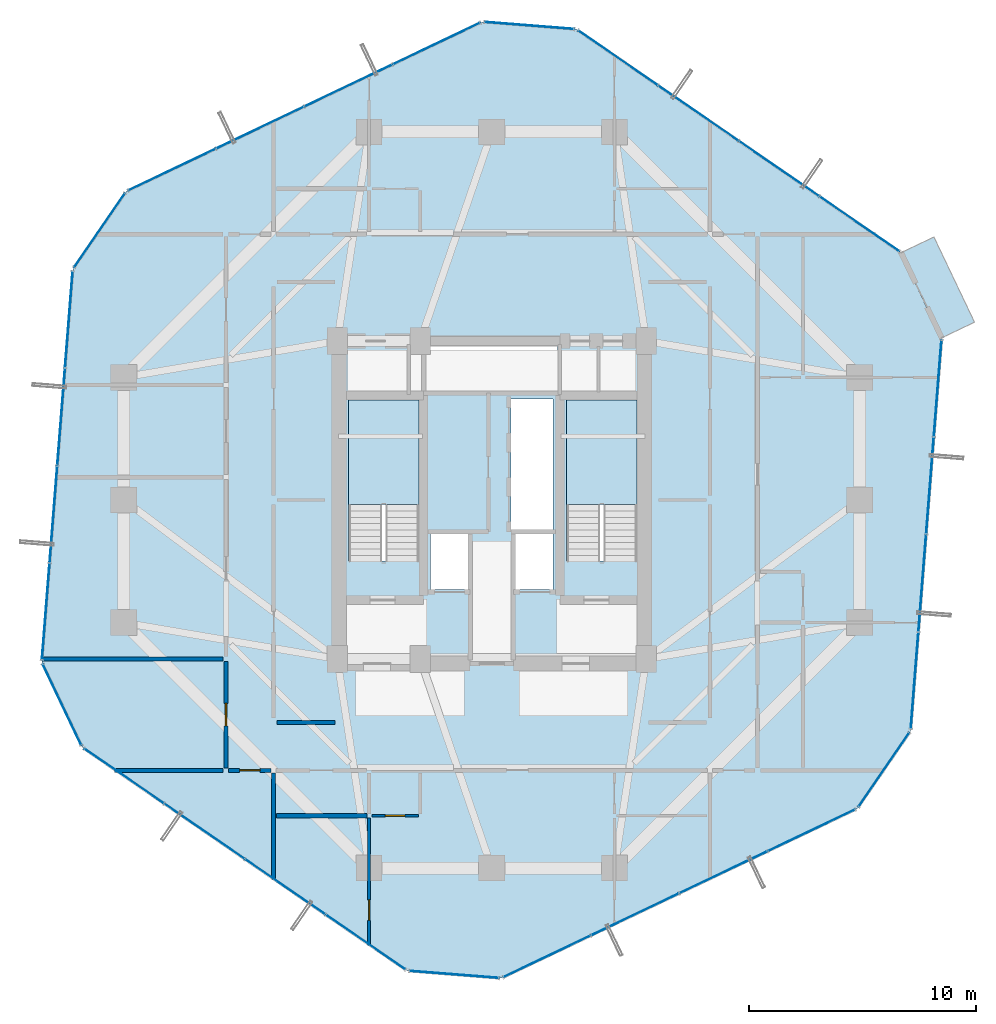
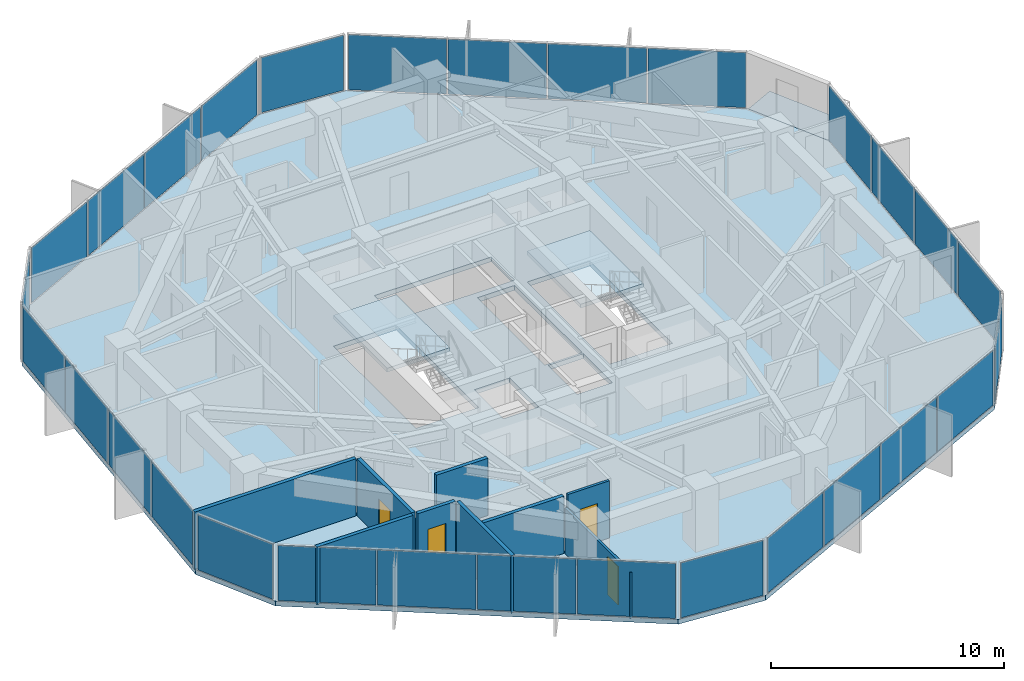
# One storey, part 25 of 30: 29 plates, 9 walls, 4 doors, 4 slabs, 4 openings, 13 elements without a shape of their own.
"""IFC4 building model written with IfcOpenShell, lengths in metres."""

import ifcopenshell
import ifcopenshell.guid

model = None  # the IFC model being written
_history = None  # IfcOwnerHistory: only IFC2X3 demands one
_inside = {}  # id of a spatial element -> (the spatial element, [elements in it])
_under = {}  # id of a project, library or spatial element -> (it, [spatial elements below it])
_declared = {}  # id of a project -> (the project, [libraries it declares])
_typed = {}  # id of a type object -> (the type object, [elements of that type])
_made_of = {}  # id of a material, layer set ... -> (it, [elements and type objects made of it])


def new_model(schema):
    """Start an empty IFC model of exactly this schema.

    Asked for "IFC4X3", IfcOpenShell would pick the latest addendum, in which some entities
    have other attributes; the version numbers below select the first issue.
    IFC2X3 requires an IfcOwnerHistory on every rooted entity: one is made here for all.
    """
    global model, _history
    if schema == "IFC4X3":
        model = ifcopenshell.file(schema_version=(4, 3, 0, 0))
    else:
        model = ifcopenshell.file(schema=schema)
    _inside.clear()
    _under.clear()
    _declared.clear()
    _typed.clear()
    _made_of.clear()
    _history = None
    if model.schema == "IFC2X3":
        org = make("IfcOrganization", Name="unknown")
        user = make(
            "IfcPersonAndOrganization",
            ThePerson=make("IfcPerson", FamilyName="unknown"),
            TheOrganization=org,
        )
        app = make(
            "IfcApplication",
            ApplicationDeveloper=org,
            Version="unknown",
            ApplicationFullName="unknown",
            ApplicationIdentifier="unknown",
        )
        _history = make(
            "IfcOwnerHistory",
            OwningUser=user,
            OwningApplication=app,
            ChangeAction="ADDED",
            CreationDate=0,
        )
    return model


def make(cls, **values):
    """One entity of the class cls with the attributes given. An attribute that is None is left unset."""
    return model.create_entity(
        cls, **{name: value for name, value in values.items() if value is not None}
    )


def rooted(cls, **values):
    """An entity with a GlobalId (a new one), such as an element, a storey or a relation."""
    return make(cls, GlobalId=ifcopenshell.guid.new(), OwnerHistory=_history, **values)


def si_unit(unit_type, name, prefix=None):
    """IfcSIUnit, for example si_unit("LENGTHUNIT", "METRE", prefix="MILLI")."""
    return make("IfcSIUnit", UnitType=unit_type, Prefix=prefix, Name=name)


def assignment(units):
    """IfcUnitAssignment: the units of a project."""
    return None if units is None else make("IfcUnitAssignment", Units=units)


def point(xyz):
    """IfcCartesianPoint."""
    return None if xyz is None else make("IfcCartesianPoint", Coordinates=xyz)


def direction(xyz):
    """IfcDirection."""
    return None if xyz is None else make("IfcDirection", DirectionRatios=xyz)


def frame(location, z_axis=None, x_axis=None):
    """IfcAxis2Placement3D, a coordinate frame: its origin and axes. An axis left out is left unset."""
    return make(
        "IfcAxis2Placement3D",
        Location=point(location),
        Axis=direction(z_axis),
        RefDirection=direction(x_axis),
    )


def frame_2d(location, x_axis=None):
    """IfcAxis2Placement2D, a coordinate frame in the plane: its origin and x axis."""
    return make(
        "IfcAxis2Placement2D", Location=point(location), RefDirection=direction(x_axis)
    )


def origin():
    """The frame at (0, 0, 0) with its axes left unset."""
    return frame((0.0, 0.0, 0.0))


def origin_2d():
    """The frame at (0, 0) in the plane with its x axis left unset."""
    return frame_2d((0.0, 0.0))


def place(relative_to, where):
    """IfcLocalPlacement: puts the frame where relative to a parent placement (None: the world)."""
    return make(
        "IfcLocalPlacement", PlacementRelTo=relative_to, RelativePlacement=where
    )


def context(
    kind, dimensions, precision=None, world=None, true_north=None, identifier=None
):
    """IfcGeometricRepresentationContext, for example the 3D "Model" context."""
    return make(
        "IfcGeometricRepresentationContext",
        ContextIdentifier=identifier,
        ContextType=kind,
        CoordinateSpaceDimension=dimensions,
        Precision=precision,
        WorldCoordinateSystem=world,
        TrueNorth=true_north,
    )


def subcontext(parent, identifier, kind, view, scale=None):
    """IfcGeometricRepresentationSubContext, for example "Body" below "Model"."""
    return make(
        "IfcGeometricRepresentationSubContext",
        ContextIdentifier=identifier,
        ContextType=kind,
        ParentContext=parent,
        TargetScale=scale,
        TargetView=view,
    )


def project(units=None, contexts=None):
    """IfcProject with its units and contexts."""
    return rooted(
        "IfcProject",
        Name="project",
        RepresentationContexts=contexts,
        UnitsInContext=assignment(units),
    )


def spatial(cls, under=None, at=None, **own):
    """A site, building, storey or space (cls), placed at a placement, below another one or the project."""
    s = rooted(cls, ObjectPlacement=at, **own)
    if under is not None:
        _under.setdefault(under.id(), (under, []))[1].append(s)
    return s


def polyline(points):
    """IfcPolyline through the points."""
    return make("IfcPolyline", Points=[point(p) for p in points])


def profile(cls, at=None, kind="AREA", **sizes):
    """A parametric profile (cls). Its sizes go by their IFC names, for example OverallWidth=200.0."""
    return make(cls, ProfileType=kind, Position=at, **sizes)


def rectangle(**sizes):
    """IfcRectangleProfileDef."""
    return profile("IfcRectangleProfileDef", **sizes)


def outline(outer, holes=None, kind="AREA"):
    """IfcArbitraryClosedProfileDef: a profile drawn as a closed curve; with holes, ...WithVoids."""
    if holes is None:
        return make("IfcArbitraryClosedProfileDef", ProfileType=kind, OuterCurve=outer)
    return make(
        "IfcArbitraryProfileDefWithVoids",
        ProfileType=kind,
        OuterCurve=outer,
        InnerCurves=holes,
    )


def extrude(swept, where, along, depth):
    """IfcExtrudedAreaSolid: the profile swept, set in the frame where, extruded along a direction by depth."""
    return make(
        "IfcExtrudedAreaSolid",
        SweptArea=swept,
        Position=where,
        ExtrudedDirection=direction(along),
        Depth=depth,
    )


def shape(context_of_items, identifier, shape_type, items):
    """IfcShapeRepresentation: the items that make up one representation, for example the "Body"."""
    return make(
        "IfcShapeRepresentation",
        ContextOfItems=context_of_items,
        RepresentationIdentifier=identifier,
        RepresentationType=shape_type,
        Items=items,
    )


def source(mapping_origin, context_of_items, identifier, shape_type, items):
    """IfcRepresentationMap: a shape defined once, which mapped items show again and again."""
    return make(
        "IfcRepresentationMap",
        MappingOrigin=mapping_origin,
        MappedRepresentation=shape(context_of_items, identifier, shape_type, items),
    )


def transform(
    local_origin,
    x_axis=None,
    y_axis=None,
    z_axis=None,
    scale=None,
    scale2=None,
    scale3=None,
    uniform=True,
):
    """IfcCartesianTransformationOperator3D, or its non-uniform kind. x_axis, y_axis, z_axis: its Axis1, 2, 3."""
    if uniform:
        return make(
            "IfcCartesianTransformationOperator3D",
            Axis1=direction(x_axis),
            Axis2=direction(y_axis),
            LocalOrigin=point(local_origin),
            Scale=scale,
            Axis3=direction(z_axis),
        )
    return make(
        "IfcCartesianTransformationOperator3DnonUniform",
        Axis1=direction(x_axis),
        Axis2=direction(y_axis),
        LocalOrigin=point(local_origin),
        Scale=scale,
        Axis3=direction(z_axis),
        Scale2=scale2,
        Scale3=scale3,
    )


def mapped(mapping_source, mapping_target):
    """IfcMappedItem: shows the shape of a source again, moved by a transform."""
    return make(
        "IfcMappedItem", MappingSource=mapping_source, MappingTarget=mapping_target
    )


def material(Name=None, Category=None):
    """IfcMaterial."""
    return make("IfcMaterial", Name=Name, Category=Category)


def layer(
    of_material, thickness, ventilated=None, Name=None, Category=None, Priority=None
):
    """IfcMaterialLayer: one layer of a wall or slab, of a material (None: an air gap)."""
    return make(
        "IfcMaterialLayer",
        Material=of_material,
        LayerThickness=thickness,
        IsVentilated=ventilated,
        Name=Name,
        Category=Category,
        Priority=Priority,
    )


def layer_set(layers, Name=None):
    """IfcMaterialLayerSet."""
    return make("IfcMaterialLayerSet", MaterialLayers=layers, LayerSetName=Name)


def made_of(thing, what):
    """Note that an element or type object is made of a material, layer set ...; save() writes the relation."""
    if what is not None:
        _made_of.setdefault(what.id(), (what, []))[1].append(thing)
    return thing


def type_object(cls, material=None, **own):
    """A type object (cls), such as IfcWallType, which elements share."""
    return made_of(rooted(cls, **own), material)


def element(
    cls,
    number,
    at=None,
    inside=None,
    cuts=None,
    type_object=None,
    material=None,
    context=None,
    identifier="Body",
    shape_type=None,
    held_by="IfcProductDefinitionShape",
    body=None,
    shapes=None,
    **own,
):
    """One element of the class cls, such as IfcWall. Its Tag is "e" and its number.

    at: its placement. inside: the storey or other place that contains it. cuts: it is an
    opening in that element (IfcRelVoidsElement). A single representation is given by context,
    identifier, shape_type and body (its items); several are given by shapes. held_by: the class
    of the entity that holds the representations. save() writes the other relations.
    """
    e = rooted(cls, Tag="e%d" % number, ObjectPlacement=at, **own)
    if body is not None:
        shapes = [shape(context, identifier, shape_type, body)]
    if shapes is not None:
        e.Representation = make(held_by, Representations=shapes)
    if inside is not None:
        _inside.setdefault(inside.id(), (inside, []))[1].append(e)
    if cuts is not None:
        rooted(
            "IfcRelVoidsElement", RelatingBuildingElement=cuts, RelatedOpeningElement=e
        )
    if type_object is not None:
        _typed.setdefault(type_object.id(), (type_object, []))[1].append(e)
    return made_of(e, material)


def fill(opening, filler):
    """IfcRelFillsElement: the door or window that sits in an opening."""
    return rooted(
        "IfcRelFillsElement",
        RelatingOpeningElement=opening,
        RelatedBuildingElement=filler,
    )


def aggregate(whole, parts):
    """IfcRelAggregates: a whole, such as a stair, and the parts it consists of."""
    return rooted("IfcRelAggregates", RelatingObject=whole, RelatedObjects=parts)


def save(model, path):
    """Write the relations noted so far, then the file.

    IfcRelAggregates (storeys below a building ...), IfcRelContainedInSpatialStructure (elements
    in a storey), IfcRelDefinesByType, IfcRelAssociatesMaterial and IfcRelDeclares: one each for
    every whole, place, type object, material and project.
    """
    for whole, parts in _under.values():
        aggregate(whole, parts)
    for where, things in _inside.values():
        rooted(
            "IfcRelContainedInSpatialStructure",
            RelatedElements=things,
            RelatingStructure=where,
        )
    for kind, things in _typed.values():
        rooted("IfcRelDefinesByType", RelatedObjects=things, RelatingType=kind)
    for what, things in _made_of.values():
        rooted("IfcRelAssociatesMaterial", RelatedObjects=things, RelatingMaterial=what)
    for by, libraries in _declared.values():
        rooted("IfcRelDeclares", RelatingContext=by, RelatedDefinitions=libraries)
    model.write(path)


model = new_model("IFC4")

# Units and contexts
model_context = context("Model", 3, precision=1e-05, world=origin(), true_north=direction((0.0, 1.0)))
body_context = subcontext(model_context, "Body", "Model", "MODEL_VIEW")
ifc_project = project(units=[si_unit("LENGTHUNIT", "METRE"), si_unit("AREAUNIT", "SQUARE_METRE"), si_unit("VOLUMEUNIT", "CUBIC_METRE"), si_unit("PLANEANGLEUNIT", "RADIAN"), si_unit("MASSUNIT", "GRAM", prefix="KILO")], contexts=[model_context])

# Site, building, storey
site_placement = place(None, origin())
site = spatial("IfcSite", under=ifc_project, at=site_placement, CompositionType="ELEMENT")
building_placement = place(site_placement, origin())
building = spatial("IfcBuilding", under=site, at=building_placement, Name="Veraguas Prism Commons", CompositionType="ELEMENT")
storey_placement = place(building_placement, frame((0.0, 0.0, 113.25)))
storey = spatial("IfcBuildingStorey", under=building, at=storey_placement, Name="L31", CompositionType="ELEMENT", Elevation=113.25)

# Stair, slab
ifc_material_1 = material(Name="Precast concrete C45/55", Category="concrete")
stair_type = type_object("IfcStairType", Name="Dogleg Core Stair 1480W 20R 05", PredefinedType="HALF_TURN_STAIR", material=ifc_material_1)
stair_1_placement = place(storey_placement, origin())
stair_1 = element("IfcStair", 1, at=stair_1_placement, inside=storey, type_object=stair_type, Name="Protected Exit Stair ST-01 L31", PredefinedType="HALF_TURN_STAIR")
ifc_layer_1 = layer(ifc_material_1, 0.199951171875, Name="Precast Stair and Ramp Landing Slab 200", Category="concrete")
ifc_layer_set_1 = layer_set([ifc_layer_1], Name="Precast concrete C45/55")
slab_type_1 = type_object("IfcSlabType", Name="Precast Stair and Ramp Landing Slab 200", PredefinedType="LANDING", material=ifc_layer_set_1)
slab_1_placement = place(storey_placement, frame((0.0, 0.0, 1.425048828125)))
slab_1 = element("IfcSlab", 2, at=slab_1_placement, type_object=slab_type_1, Name="ST-05 Landing 1", PredefinedType="LANDING", context=body_context, shape_type="SweptSolid", body=[
    extrude(outline(polyline([(20.800048828125, 23.800048828125), (20.800048828125, 28.39990234375), (17.68994140625, 28.39990234375), (17.68994140625, 23.800048828125), (20.800048828125, 23.800048828125)])), origin(), (0.0, 0.0, 1.0), 0.199951171875),
])
aggregate(stair_1, [slab_1])

stair_2_placement = place(storey_placement, origin())
stair_2 = element("IfcStair", 3, at=stair_2_placement, inside=storey, type_object=stair_type, Name="Protected Exit Stair ST-02 L31", PredefinedType="HALF_TURN_STAIR")
slab_2_placement = place(storey_placement, frame((0.0, 0.0, 1.425048828125)))
slab_2 = element("IfcSlab", 4, at=slab_2_placement, type_object=slab_type_1, Name="ST-05 Landing 1", PredefinedType="LANDING", context=body_context, shape_type="SweptSolid", body=[
    extrude(outline(polyline([(30.39990234375, 23.800048828125), (30.39990234375, 28.39990234375), (27.2900390625, 28.39990234375), (27.2900390625, 23.800048828125), (30.39990234375, 23.800048828125)])), origin(), (0.0, 0.0, 1.0), 0.199951171875),
])
aggregate(stair_2, [slab_2])

# Slabs
ifc_material_2 = material(Name="Concrete C45/55", Category="concrete")
ifc_layer_2 = layer(ifc_material_2, 0.219970703125, Name="Recessed Loggia and Terrace Slab RC 220", Category="concrete")
ifc_layer_set_2 = layer_set([ifc_layer_2], Name="Concrete C45/55")
slab_type_2 = type_object("IfcSlabType", Name="Recessed Loggia and Terrace Slab RC 220", PredefinedType="FLOOR", material=ifc_layer_set_2)
slab_3_placement = place(storey_placement, frame((0.0, 0.0, -0.219970703125)))
element("IfcSlab", 5, at=slab_3_placement, inside=storey, type_object=slab_type_2, Name="Recessed Corner Loggia L31-C1", PredefinedType="FLOOR", context=body_context, shape_type="SweptSolid", body=[
    extrude(outline(polyline([(43.78857421875, 31.1298828125), (45.2509765625, 31.826904296875), (43.46435546875, 35.575927734375), (42.001953125, 34.879150390625), (43.78857421875, 31.1298828125)])), origin(), (0.0, 0.0, 1.0), 0.219970703125),
])
ifc_layer_3 = layer(ifc_material_2, 0.25, Name="Tower Lower Residential Floor Slab RC 250", Category="concrete")
ifc_layer_set_3 = layer_set([ifc_layer_3], Name="Concrete C45/55")
slab_type_3 = type_object("IfcSlabType", Name="Tower Lower Residential Floor Slab RC 250", PredefinedType="FLOOR", material=ifc_layer_set_3)
slab_4_placement = place(storey_placement, frame((0.0, 0.0, -0.25)))
element("IfcSlab", 6, at=slab_4_placement, inside=storey, type_object=slab_type_3, Name="Tower Floor Slab L31", PredefinedType="FLOOR", context=body_context, shape_type="SweptSolid", body=[
    extrude(outline(polyline([(43.806640625, 31.138427734375), (42.02001953125, 34.8876953125), (27.72119140625, 44.722412109375), (23.5810546875, 45.049560546875), (7.91455078125, 37.583740234375), (5.56103515625, 34.161865234375), (4.193359375, 16.861572265625), (5.97998046875, 13.1123046875), (20.27880859375, 3.277587890625), (24.4189453125, 2.950439453125), (40.08544921875, 10.416259765625), (42.43896484375, 13.838134765625), (43.806640625, 31.138427734375)]), holes=[polyline([(20.800048828125, 21.31005859375), (20.800048828125, 28.39990234375), (17.68994140625, 28.39990234375), (17.68994140625, 21.31005859375), (20.800048828125, 21.31005859375)]), polyline([(30.39990234375, 21.31005859375), (30.39990234375, 28.39990234375), (27.2900390625, 28.39990234375), (27.2900390625, 21.31005859375), (30.39990234375, 21.31005859375)]), polyline([(24.85009765625, 22.64990234375), (26.699951171875, 22.64990234375), (26.699951171875, 28.449951171875), (24.85009765625, 28.449951171875), (24.85009765625, 22.64990234375)]), polyline([(21.10009765625, 28.800048828125), (26.89990234375, 28.800048828125), (26.89990234375, 30.800048828125), (21.10009765625, 30.800048828125), (21.10009765625, 28.800048828125)]), polyline([(21.300048828125, 20.050048828125), (23.050048828125, 20.050048828125), (23.050048828125, 22.550048828125), (21.300048828125, 22.550048828125), (21.300048828125, 20.050048828125)]), polyline([(24.949951171875, 20.050048828125), (26.699951171875, 20.050048828125), (26.699951171875, 22.550048828125), (24.949951171875, 22.550048828125), (24.949951171875, 20.050048828125)])]), origin(), (0.0, 0.0, 1.0), 0.25),
])

# Curtain wall, plates
ifc_material_3 = material(Name="Anodised aluminium EN AW-6063 T6", Category="aluminium")
ifc_layer_4 = layer(ifc_material_3, 0.169921875, Name="Unitised Flush Curtain Wall Zone 2", Category="aluminium")
ifc_layer_set_4 = layer_set([ifc_layer_4], Name="Anodised aluminium EN AW-6063 T6")
curtain_wall_type = type_object("IfcCurtainWallType", Name="Unitised Flush Curtain Wall Zone 2", PredefinedType="NOTDEFINED", material=ifc_layer_set_4)
curtain_wall_1_placement = place(storey_placement, origin())
curtain_wall_1 = element("IfcCurtainWall", 7, at=curtain_wall_1_placement, inside=storey, type_object=curtain_wall_type, Name="Tower Facade Curtain Wall L31-F1", PredefinedType="NOTDEFINED")
ifc_material_4 = material(Name="Laminated low-e glass", Category="glass")
ifc_layer_5 = layer(ifc_material_4, 0.028076171875, Name="Unitised Double Low-E Glazed Panel 28", Category="glass")
ifc_layer_set_5 = layer_set([ifc_layer_5], Name="Laminated low-e glass")
plate_type = type_object("IfcPlateType", Name="Unitised Double Low-E Glazed Panel 28", PredefinedType="CURTAIN_PANEL", material=ifc_layer_set_5)
shared_shape_1 = source(origin(), body_context, "Body", "SweptSolid", [
    extrude(rectangle(XDim=4.218505859375, YDim=0.028076171875, at=origin_2d()), origin(), (0.0, 0.0, 1.0), 2.889892578125),
])
plate_1_placement = place(storey_placement, frame((40.183349609375, 36.151123046875, 0.05517578125), z_axis=(0.0, 0.0, 1.0), x_axis=(-0.823930403472, 0.566691000664, 0.0)))
plate_1 = element("IfcPlate", 8, at=plate_1_placement, type_object=plate_type, Name="CW-Z2 Panel 1.1", PredefinedType="CURTAIN_PANEL", context=body_context, shape_type="MappedRepresentation", body=[
    mapped(shared_shape_1, transform((0.0, 0.0, 0.0), scale=1.0)),
])
plate_2_placement = place(storey_placement, frame((29.557861328125, 43.458984375, 0.05517578125), z_axis=(0.0, 0.0, 1.0), x_axis=(-0.823930403472, 0.566691000664, 0.0)))
plate_2 = element("IfcPlate", 9, at=plate_2_placement, type_object=plate_type, Name="CW-Z2 Panel 4.1", PredefinedType="CURTAIN_PANEL", context=body_context, shape_type="MappedRepresentation", body=[
    mapped(shared_shape_1, transform((0.0, 0.0, 0.0), scale=1.0)),
])

curtain_wall_2_placement = place(storey_placement, origin())
curtain_wall_2 = element("IfcCurtainWall", 10, at=curtain_wall_2_placement, inside=storey, type_object=curtain_wall_type, Name="Tower Facade Curtain Wall L31-F2", PredefinedType="NOTDEFINED")
plate_3_placement = place(storey_placement, frame((21.568603515625, 44.090576171875, 0.05517578125), z_axis=(0.0, 0.0, 1.0), x_axis=(-0.902734004407, -0.430199160025, 0.0)))
plate_3 = element("IfcPlate", 11, at=plate_3_placement, type_object=plate_type, Name="CW-Z2 Panel 1.1", PredefinedType="CURTAIN_PANEL", context=body_context, shape_type="MappedRepresentation", body=[
    mapped(shared_shape_1, transform((0.0, 0.0, 0.0), scale=1.0)),
])
plate_4_placement = place(storey_placement, frame((9.927001953125, 38.542724609375, 0.05517578125), z_axis=(0.0, 0.0, 1.0), x_axis=(-0.902734004407, -0.430199160025, 0.0)))
plate_4 = element("IfcPlate", 12, at=plate_4_placement, type_object=plate_type, Name="CW-Z2 Panel 4.1", PredefinedType="CURTAIN_PANEL", context=body_context, shape_type="MappedRepresentation", body=[
    mapped(shared_shape_1, transform((0.0, 0.0, 0.0), scale=1.0)),
])

curtain_wall_3_placement = place(storey_placement, origin())
curtain_wall_3 = element("IfcCurtainWall", 13, at=curtain_wall_3_placement, inside=storey, type_object=curtain_wall_type, Name="Tower Facade Curtain Wall L31-F3", PredefinedType="NOTDEFINED")
plate_5_placement = place(storey_placement, frame((5.38525390625, 31.939453125, 0.05517578125), z_axis=(0.0, 0.0, 1.0), x_axis=(-0.078807080738, -0.996889885607, 0.0)))
plate_5 = element("IfcPlate", 14, at=plate_5_placement, type_object=plate_type, Name="CW-Z2 Panel 1.1", PredefinedType="CURTAIN_PANEL", context=body_context, shape_type="MappedRepresentation", body=[
    mapped(shared_shape_1, transform((0.0, 0.0, 0.0), scale=1.0)),
])
plate_6_placement = place(storey_placement, frame((4.369140625, 19.083740234375, 0.05517578125), z_axis=(0.0, 0.0, 1.0), x_axis=(-0.078807080738, -0.996889885607, 0.0)))
plate_6 = element("IfcPlate", 15, at=plate_6_placement, type_object=plate_type, Name="CW-Z2 Panel 4.1", PredefinedType="CURTAIN_PANEL", context=body_context, shape_type="MappedRepresentation", body=[
    mapped(shared_shape_1, transform((0.0, 0.0, 0.0), scale=1.0)),
])

curtain_wall_4_placement = place(storey_placement, origin())
curtain_wall_4 = element("IfcCurtainWall", 16, at=curtain_wall_4_placement, inside=storey, type_object=curtain_wall_type, Name="Tower Facade Curtain Wall L31-F4", PredefinedType="NOTDEFINED")
plate_7_placement = place(storey_placement, frame((7.816650390625, 11.848876953125, 0.05517578125), z_axis=(0.0, 0.0, 1.0), x_axis=(0.823930403472, -0.566691000664, 0.0)))
plate_7 = element("IfcPlate", 17, at=plate_7_placement, type_object=plate_type, Name="CW-Z2 Panel 1.1", PredefinedType="CURTAIN_PANEL", context=body_context, shape_type="MappedRepresentation", body=[
    mapped(shared_shape_1, transform((0.0, 0.0, 0.0), scale=1.0)),
])
plate_8_placement = place(storey_placement, frame((18.442138671875, 4.541015625, 0.05517578125), z_axis=(0.0, 0.0, 1.0), x_axis=(0.823930403472, -0.566691000664, 0.0)))
plate_8 = element("IfcPlate", 18, at=plate_8_placement, type_object=plate_type, Name="CW-Z2 Panel 4.1", PredefinedType="CURTAIN_PANEL", context=body_context, shape_type="MappedRepresentation", body=[
    mapped(shared_shape_1, transform((0.0, 0.0, 0.0), scale=1.0)),
])

curtain_wall_5_placement = place(storey_placement, origin())
curtain_wall_5 = element("IfcCurtainWall", 19, at=curtain_wall_5_placement, inside=storey, type_object=curtain_wall_type, Name="Tower Facade Curtain Wall L31-F5", PredefinedType="NOTDEFINED")
plate_9_placement = place(storey_placement, frame((26.431396484375, 3.909423828125, 0.05517578125), z_axis=(0.0, 0.0, 1.0), x_axis=(0.902734004407, 0.430199160025, 0.0)))
plate_9 = element("IfcPlate", 20, at=plate_9_placement, type_object=plate_type, Name="CW-Z2 Panel 1.1", PredefinedType="CURTAIN_PANEL", context=body_context, shape_type="MappedRepresentation", body=[
    mapped(shared_shape_1, transform((0.0, 0.0, 0.0), scale=1.0)),
])
plate_10_placement = place(storey_placement, frame((38.072998046875, 9.457275390625, 0.05517578125), z_axis=(0.0, 0.0, 1.0), x_axis=(0.902734004407, 0.430199160025, 0.0)))
plate_10 = element("IfcPlate", 21, at=plate_10_placement, type_object=plate_type, Name="CW-Z2 Panel 4.1", PredefinedType="CURTAIN_PANEL", context=body_context, shape_type="MappedRepresentation", body=[
    mapped(shared_shape_1, transform((0.0, 0.0, 0.0), scale=1.0)),
])

curtain_wall_6_placement = place(storey_placement, origin())
curtain_wall_6 = element("IfcCurtainWall", 22, at=curtain_wall_6_placement, inside=storey, type_object=curtain_wall_type, Name="Tower Facade Curtain Wall L31-F6", PredefinedType="NOTDEFINED")
plate_11_placement = place(storey_placement, frame((42.61474609375, 16.060546875, 0.05517578125), z_axis=(0.0, 0.0, 1.0), x_axis=(0.078807080738, 0.996889885607, 0.0)))
plate_11 = element("IfcPlate", 23, at=plate_11_placement, type_object=plate_type, Name="CW-Z2 Panel 1.1", PredefinedType="CURTAIN_PANEL", context=body_context, shape_type="MappedRepresentation", body=[
    mapped(shared_shape_1, transform((0.0, 0.0, 0.0), scale=1.0)),
])
plate_12_placement = place(storey_placement, frame((43.630859375, 28.916259765625, 0.05517578125), z_axis=(0.0, 0.0, 1.0), x_axis=(0.078807080738, 0.996889885607, 0.0)))
plate_12 = element("IfcPlate", 24, at=plate_12_placement, type_object=plate_type, Name="CW-Z2 Panel 4.1", PredefinedType="CURTAIN_PANEL", context=body_context, shape_type="MappedRepresentation", body=[
    mapped(shared_shape_1, transform((0.0, 0.0, 0.0), scale=1.0)),
])

# Plate
shared_shape_2 = source(origin(), body_context, "Body", "SweptSolid", [
    extrude(rectangle(XDim=4.24853515625, YDim=0.028076171875, at=origin_2d()), origin(), (0.0, 0.0, 1.0), 2.889892578125),
])
plate_13_placement = place(storey_placement, frame((36.6455078125, 38.584228515625, 0.05517578125), z_axis=(0.0, 0.0, 1.0), x_axis=(-0.823930403472, 0.566691000664, 0.0)))
plate_13 = element("IfcPlate", 25, at=plate_13_placement, type_object=plate_type, Name="CW-Z2 Panel 2.1", PredefinedType="CURTAIN_PANEL", context=body_context, shape_type="MappedRepresentation", body=[
    mapped(shared_shape_2, transform((0.0, 0.0, 0.0), scale=1.0)),
])

plate_14_placement = place(storey_placement, frame((33.095703125, 41.02587890625, 0.05517578125), z_axis=(0.0, 0.0, 1.0), x_axis=(-0.823930403472, 0.566691000664, 0.0)))
plate_14 = element("IfcPlate", 26, at=plate_14_placement, type_object=plate_type, Name="CW-Z2 Panel 3.1", PredefinedType="CURTAIN_PANEL", context=body_context, shape_type="MappedRepresentation", body=[
    mapped(shared_shape_2, transform((0.0, 0.0, 0.0), scale=1.0)),
])

aggregate(curtain_wall_1, [plate_1, plate_13, plate_14, plate_2])

plate_15_placement = place(storey_placement, frame((17.692626953125, 42.243408203125, 0.05517578125), z_axis=(0.0, 0.0, 1.0), x_axis=(-0.902734004407, -0.430199160025, 0.0)))
plate_15 = element("IfcPlate", 27, at=plate_15_placement, type_object=plate_type, Name="CW-Z2 Panel 2.1", PredefinedType="CURTAIN_PANEL", context=body_context, shape_type="MappedRepresentation", body=[
    mapped(shared_shape_2, transform((0.0, 0.0, 0.0), scale=1.0)),
])

plate_16_placement = place(storey_placement, frame((13.802978515625, 40.389892578125, 0.05517578125), z_axis=(0.0, 0.0, 1.0), x_axis=(-0.902734004407, -0.430199160025, 0.0)))
plate_16 = element("IfcPlate", 28, at=plate_16_placement, type_object=plate_type, Name="CW-Z2 Panel 3.1", PredefinedType="CURTAIN_PANEL", context=body_context, shape_type="MappedRepresentation", body=[
    mapped(shared_shape_2, transform((0.0, 0.0, 0.0), scale=1.0)),
])

aggregate(curtain_wall_2, [plate_3, plate_15, plate_16, plate_4])

plate_17_placement = place(storey_placement, frame((5.046875, 27.6591796875, 0.05517578125), z_axis=(0.0, 0.0, 1.0), x_axis=(-0.078807080738, -0.996889885607, 0.0)))
plate_17 = element("IfcPlate", 29, at=plate_17_placement, type_object=plate_type, Name="CW-Z2 Panel 2.1", PredefinedType="CURTAIN_PANEL", context=body_context, shape_type="MappedRepresentation", body=[
    mapped(shared_shape_2, transform((0.0, 0.0, 0.0), scale=1.0)),
])

plate_18_placement = place(storey_placement, frame((4.70751953125, 23.364013671875, 0.05517578125), z_axis=(0.0, 0.0, 1.0), x_axis=(-0.078807080738, -0.996889885607, 0.0)))
plate_18 = element("IfcPlate", 30, at=plate_18_placement, type_object=plate_type, Name="CW-Z2 Panel 3.1", PredefinedType="CURTAIN_PANEL", context=body_context, shape_type="MappedRepresentation", body=[
    mapped(shared_shape_2, transform((0.0, 0.0, 0.0), scale=1.0)),
])

aggregate(curtain_wall_3, [plate_5, plate_17, plate_18, plate_6])

plate_19_placement = place(storey_placement, frame((11.3544921875, 9.415771484375, 0.05517578125), z_axis=(0.0, 0.0, 1.0), x_axis=(0.823930403472, -0.566691000664, 0.0)))
plate_19 = element("IfcPlate", 31, at=plate_19_placement, type_object=plate_type, Name="CW-Z2 Panel 2.1", PredefinedType="CURTAIN_PANEL", context=body_context, shape_type="MappedRepresentation", body=[
    mapped(shared_shape_2, transform((0.0, 0.0, 0.0), scale=1.0)),
])

plate_20_placement = place(storey_placement, frame((14.904296875, 6.97412109375, 0.05517578125), z_axis=(0.0, 0.0, 1.0), x_axis=(0.823930403472, -0.566691000664, 0.0)))
plate_20 = element("IfcPlate", 32, at=plate_20_placement, type_object=plate_type, Name="CW-Z2 Panel 3.1", PredefinedType="CURTAIN_PANEL", context=body_context, shape_type="MappedRepresentation", body=[
    mapped(shared_shape_2, transform((0.0, 0.0, 0.0), scale=1.0)),
])

aggregate(curtain_wall_4, [plate_7, plate_19, plate_20, plate_8])

plate_21_placement = place(storey_placement, frame((30.307373046875, 5.756591796875, 0.05517578125), z_axis=(0.0, 0.0, 1.0), x_axis=(0.902734004407, 0.430199160025, 0.0)))
plate_21 = element("IfcPlate", 33, at=plate_21_placement, type_object=plate_type, Name="CW-Z2 Panel 2.1", PredefinedType="CURTAIN_PANEL", context=body_context, shape_type="MappedRepresentation", body=[
    mapped(shared_shape_2, transform((0.0, 0.0, 0.0), scale=1.0)),
])

plate_22_placement = place(storey_placement, frame((34.197021484375, 7.610107421875, 0.05517578125), z_axis=(0.0, 0.0, 1.0), x_axis=(0.902734004407, 0.430199160025, 0.0)))
plate_22 = element("IfcPlate", 34, at=plate_22_placement, type_object=plate_type, Name="CW-Z2 Panel 3.1", PredefinedType="CURTAIN_PANEL", context=body_context, shape_type="MappedRepresentation", body=[
    mapped(shared_shape_2, transform((0.0, 0.0, 0.0), scale=1.0)),
])

aggregate(curtain_wall_5, [plate_9, plate_21, plate_22, plate_10])

plate_23_placement = place(storey_placement, frame((42.953125, 20.3408203125, 0.05517578125), z_axis=(0.0, 0.0, 1.0), x_axis=(0.078807080738, 0.996889885607, 0.0)))
plate_23 = element("IfcPlate", 35, at=plate_23_placement, type_object=plate_type, Name="CW-Z2 Panel 2.1", PredefinedType="CURTAIN_PANEL", context=body_context, shape_type="MappedRepresentation", body=[
    mapped(shared_shape_2, transform((0.0, 0.0, 0.0), scale=1.0)),
])

plate_24_placement = place(storey_placement, frame((43.29248046875, 24.635986328125, 0.05517578125), z_axis=(0.0, 0.0, 1.0), x_axis=(0.078807080738, 0.996889885607, 0.0)))
plate_24 = element("IfcPlate", 36, at=plate_24_placement, type_object=plate_type, Name="CW-Z2 Panel 3.1", PredefinedType="CURTAIN_PANEL", context=body_context, shape_type="MappedRepresentation", body=[
    mapped(shared_shape_2, transform((0.0, 0.0, 0.0), scale=1.0)),
])

aggregate(curtain_wall_6, [plate_11, plate_23, plate_24, plate_12])

# Curtain wall, plate
curtain_wall_7_placement = place(storey_placement, origin())
curtain_wall_7 = element("IfcCurtainWall", 37, at=curtain_wall_7_placement, inside=storey, type_object=curtain_wall_type, Name="Chamfer Curtain Wall L31-C2", PredefinedType="NOTDEFINED")
shared_shape_3 = source(origin(), body_context, "Body", "SweptSolid", [
    extrude(rectangle(XDim=3.9130859375, YDim=0.028076171875, at=origin_2d()), origin(), (0.0, 0.0, 1.0), 2.889892578125),
])
plate_25_placement = place(storey_placement, frame((25.651123046875, 44.885986328125, 0.05517578125), z_axis=(0.0, 0.0, 1.0), x_axis=(-0.996888785155, 0.078820999939, 0.0)))
plate_25 = element("IfcPlate", 38, at=plate_25_placement, type_object=plate_type, Name="CW-Z2 Panel 1.1", PredefinedType="CURTAIN_PANEL", context=body_context, shape_type="MappedRepresentation", body=[
    mapped(shared_shape_3, transform((0.0, 0.0, 0.0), scale=1.0)),
])
aggregate(curtain_wall_7, [plate_25])

curtain_wall_8_placement = place(storey_placement, origin())
curtain_wall_8 = element("IfcCurtainWall", 39, at=curtain_wall_8_placement, inside=storey, type_object=curtain_wall_type, Name="Chamfer Curtain Wall L31-C4", PredefinedType="NOTDEFINED")
plate_26_placement = place(storey_placement, frame((5.086669921875, 14.98681640625, 0.05517578125), z_axis=(0.0, 0.0, 1.0), x_axis=(0.430192857743, -0.902737007742, 0.0)))
plate_26 = element("IfcPlate", 40, at=plate_26_placement, type_object=plate_type, Name="CW-Z2 Panel 1.1", PredefinedType="CURTAIN_PANEL", context=body_context, shape_type="MappedRepresentation", body=[
    mapped(shared_shape_3, transform((0.0, 0.0, 0.0), scale=1.0)),
])
aggregate(curtain_wall_8, [plate_26])

curtain_wall_9_placement = place(storey_placement, origin())
curtain_wall_9 = element("IfcCurtainWall", 41, at=curtain_wall_9_placement, inside=storey, type_object=curtain_wall_type, Name="Chamfer Curtain Wall L31-C5", PredefinedType="NOTDEFINED")
plate_27_placement = place(storey_placement, frame((22.348876953125, 3.114013671875, 0.05517578125), z_axis=(0.0, 0.0, 1.0), x_axis=(0.996888785155, -0.078820999939, 0.0)))
plate_27 = element("IfcPlate", 42, at=plate_27_placement, type_object=plate_type, Name="CW-Z2 Panel 1.1", PredefinedType="CURTAIN_PANEL", context=body_context, shape_type="MappedRepresentation", body=[
    mapped(shared_shape_3, transform((0.0, 0.0, 0.0), scale=1.0)),
])
aggregate(curtain_wall_9, [plate_27])

curtain_wall_10_placement = place(storey_placement, origin())
curtain_wall_10 = element("IfcCurtainWall", 43, at=curtain_wall_10_placement, inside=storey, type_object=curtain_wall_type, Name="Chamfer Curtain Wall L31-C3", PredefinedType="NOTDEFINED")
shared_shape_4 = source(origin(), body_context, "Body", "SweptSolid", [
    extrude(rectangle(XDim=3.913330078125, YDim=0.028076171875, at=origin_2d()), origin(), (0.0, 0.0, 1.0), 2.889892578125),
])
plate_28_placement = place(storey_placement, frame((6.73779296875, 35.872802734375, 0.05517578125), z_axis=(0.0, 0.0, 1.0), x_axis=(-0.566692438693, -0.823929414409, 0.0)))
plate_28 = element("IfcPlate", 44, at=plate_28_placement, type_object=plate_type, Name="CW-Z2 Panel 1.1", PredefinedType="CURTAIN_PANEL", context=body_context, shape_type="MappedRepresentation", body=[
    mapped(shared_shape_4, transform((0.0, 0.0, 0.0), scale=1.0)),
])
aggregate(curtain_wall_10, [plate_28])

curtain_wall_11_placement = place(storey_placement, origin())
curtain_wall_11 = element("IfcCurtainWall", 45, at=curtain_wall_11_placement, inside=storey, type_object=curtain_wall_type, Name="Chamfer Curtain Wall L31-C6", PredefinedType="NOTDEFINED")
plate_29_placement = place(storey_placement, frame((41.26220703125, 12.127197265625, 0.05517578125), z_axis=(0.0, 0.0, 1.0), x_axis=(0.566692438693, 0.823929414409, 0.0)))
plate_29 = element("IfcPlate", 46, at=plate_29_placement, type_object=plate_type, Name="CW-Z2 Panel 1.1", PredefinedType="CURTAIN_PANEL", context=body_context, shape_type="MappedRepresentation", body=[
    mapped(shared_shape_4, transform((0.0, 0.0, 0.0), scale=1.0)),
])
aggregate(curtain_wall_11, [plate_29])

# Walls
ifc_material_5 = material(Name="Autoclaved aerated masonry block 10 MPa", Category="masonry")
ifc_layer_6 = layer(ifc_material_5, 0.179931640625, Name="Corridor and Inter-Tenancy Partition 180", Category="masonry")
ifc_layer_set_6 = layer_set([ifc_layer_6], Name="Autoclaved aerated masonry block 10 MPa")
wall_type_1 = type_object("IfcWallType", Name="Corridor and Inter-Tenancy Partition 180", PredefinedType="PARTITIONING", material=ifc_layer_set_6)
wall_1_placement = place(storey_placement, frame((14.550048828125, 14.199951171875, 0.0), z_axis=(0.0, 0.0, 1.0), x_axis=(1.0, 0.0, 0.0)))
element("IfcWall", 47, at=wall_1_placement, inside=storey, type_object=wall_type_1, Name="WL-L31-IRWS", PredefinedType="PARTITIONING", context=body_context, shape_type="SweptSolid", body=[
    extrude(rectangle(XDim=2.550048828125, YDim=0.179931640625, at=frame_2d((1.27490234375, 0.0))), origin(), (0.0, 0.0, 1.0), 3.0),
])
wall_2_placement = place(storey_placement, frame((14.39990234375, 11.97998046875, 0.0), z_axis=(0.0, 0.0, 1.0), x_axis=(0.0, -1.0, 0.0)))
element("IfcWall", 48, at=wall_2_placement, inside=storey, type_object=wall_type_1, Name="WL-L31-PT001", PredefinedType="PARTITIONING", context=body_context, shape_type="SweptSolid", body=[
    extrude(rectangle(XDim=4.6953125, YDim=0.179931640625, at=frame_2d((2.34765625, 0.0))), origin(), (0.0, 0.0, 1.0), 3.0),
])
wall_3_placement = place(storey_placement, frame((14.52001953125, 10.10009765625, 0.0), z_axis=(0.0, 0.0, 1.0), x_axis=(1.0, 0.0, 0.0)))
element("IfcWall", 49, at=wall_3_placement, inside=storey, type_object=wall_type_1, Name="WL-L31-PT005", PredefinedType="PARTITIONING", context=body_context, shape_type="SweptSolid", body=[
    extrude(rectangle(XDim=3.97998046875, YDim=0.179931640625, at=frame_2d((1.989990234375, 0.0))), origin(), (0.0, 0.0, 1.0), 3.0),
])
wall_4_placement = place(storey_placement, frame((12.179931640625, 12.10009765625, 0.0), z_axis=(0.0, 0.0, 1.0), x_axis=(-1.0, 0.0, 0.0)))
element("IfcWall", 50, at=wall_4_placement, inside=storey, type_object=wall_type_1, Name="WL-L31-PT025", PredefinedType="PARTITIONING", context=body_context, shape_type="SweptSolid", body=[
    extrude(rectangle(XDim=4.781005859375, YDim=0.179931640625, at=frame_2d((2.390625, 0.0))), origin(), (0.0, 0.0, 1.0), 3.0),
])

# Wall, opening, door
wall_5_placement = place(storey_placement, frame((12.300048828125, 12.2099609375, 0.0), z_axis=(0.0, 0.0, 1.0), x_axis=(0.0, 1.0, 0.0)))
wall_5 = element("IfcWall", 51, at=wall_5_placement, inside=storey, type_object=wall_type_1, Name="WL-L31-PT027", PredefinedType="PARTITIONING", context=body_context, shape_type="SweptSolid", body=[
    extrude(rectangle(XDim=4.68310546875, YDim=0.179931640625, at=frame_2d((2.341552734375, 0.0))), origin(), (0.0, 0.0, 1.0), 3.0),
])
opening_1_placement = place(wall_5_placement, frame((1.841552734375, 0.0, 0.0)))
opening_1 = element("IfcOpeningElement", 52, at=opening_1_placement, cuts=wall_5, Name="Opening DR-13", PredefinedType="OPENING", context=body_context, shape_type="SweptSolid", body=[
    extrude(rectangle(XDim=1.0, YDim=2.010009765625, at=frame_2d((0.5, 1.0048828125))), frame((0.0, 0.099853515625, 0.0), z_axis=(0.0, -1.0, 0.0), x_axis=(1.0, 0.0, 0.0)), (0.0, 0.0, 1.0), 0.199951171875),
])
ifc_material_6 = material(Name="Steel fire-rated door assembly", Category="steel")
door_type_1 = type_object("IfcDoorType", Name="Core Accessible WC and Clinic Fire Door 1000x2010", OperationType="NOTDEFINED", PredefinedType="DOOR", material=ifc_material_6)
shared_shape_5 = source(origin(), body_context, "Body", "SweptSolid", [
    extrude(rectangle(XDim=1.0, YDim=2.010009765625, at=frame_2d((0.5, 1.0048828125))), frame((0.0, 0.02490234375, 0.0), z_axis=(0.0, -1.0, 0.0), x_axis=(1.0, 0.0, 0.0)), (0.0, 0.0, 1.0), 0.050048828125),
])
door_1_placement = place(opening_1_placement, origin())
door_1 = element("IfcDoor", 53, at=door_1_placement, inside=storey, type_object=door_type_1, Name="Residents Study Room Door", OperationType="SINGLE_SWING_RIGHT", OverallHeight=2.010009765625, OverallWidth=1.0, PredefinedType="DOOR", context=body_context, shape_type="MappedRepresentation", body=[
    mapped(shared_shape_5, transform((0.0, 0.0, 0.0), scale=1.0)),
])
fill(opening_1, door_1)

# Wall
wall_6_placement = place(storey_placement, frame((12.179931640625, 17.0029296875, 0.0), z_axis=(0.0, 0.0, 1.0), x_axis=(-1.0, 0.0, 0.0)))
element("IfcWall", 54, at=wall_6_placement, inside=storey, type_object=wall_type_1, Name="WL-L31-PT029", PredefinedType="PARTITIONING", context=body_context, shape_type="SweptSolid", body=[
    extrude(rectangle(XDim=8.00537109375, YDim=0.179931640625, at=frame_2d((4.002685546875, 0.0))), origin(), (0.0, 0.0, 1.0), 3.0),
])

# Wall, opening, door
wall_7_placement = place(storey_placement, frame((12.419921875, 12.10009765625, 0.0), z_axis=(0.0, 0.0, 1.0), x_axis=(1.0, 0.0, 0.0)))
wall_7 = element("IfcWall", 55, at=wall_7_placement, inside=storey, type_object=wall_type_1, Name="WL-L31-PT046", PredefinedType="PARTITIONING", context=body_context, shape_type="SweptSolid", body=[
    extrude(rectangle(XDim=1.860107421875, YDim=0.179931640625, at=frame_2d((0.93017578125, 0.0))), origin(), (0.0, 0.0, 1.0), 3.0),
])
opening_2_placement = place(wall_7_placement, frame((0.47998046875, 0.0, 0.0)))
opening_2 = element("IfcOpeningElement", 56, at=opening_2_placement, cuts=wall_7, Name="Opening DR-14", PredefinedType="OPENING", context=body_context, shape_type="SweptSolid", body=[
    extrude(rectangle(XDim=0.89990234375, YDim=2.010009765625, at=frame_2d((0.449951171875, 1.0048828125))), frame((0.0, 0.099853515625, 0.0), z_axis=(0.0, -1.0, 0.0), x_axis=(1.0, 0.0, 0.0)), (0.0, 0.0, 1.0), 0.199951171875),
])
door_type_2 = type_object("IfcDoorType", Name="Core Service Room Fire Door 900x2010", OperationType="NOTDEFINED", PredefinedType="DOOR", material=ifc_material_6)
shared_shape_6 = source(origin(), body_context, "Body", "SweptSolid", [
    extrude(rectangle(XDim=0.89990234375, YDim=2.010009765625, at=frame_2d((0.449951171875, 1.0048828125))), frame((0.0, 0.02490234375, 0.0), z_axis=(0.0, -1.0, 0.0), x_axis=(1.0, 0.0, 0.0)), (0.0, 0.0, 1.0), 0.050048828125),
])
door_2_placement = place(opening_2_placement, origin())
door_2 = element("IfcDoor", 57, at=door_2_placement, inside=storey, type_object=door_type_2, Name="Community Co-op Kitchen SW Door", OperationType="SINGLE_SWING_RIGHT", OverallHeight=2.010009765625, OverallWidth=0.89990234375, PredefinedType="DOOR", context=body_context, shape_type="MappedRepresentation", body=[
    mapped(shared_shape_6, transform((0.0, 0.0, 0.0), scale=1.0)),
])
fill(opening_2, door_2)

ifc_material_7 = material(Name="Lightweight acoustic gypsum board")
ifc_layer_7 = layer(ifc_material_7, 0.125, Name="Internal Apartment Room Partition 125")
ifc_layer_set_7 = layer_set([ifc_layer_7], Name="Lightweight acoustic gypsum board")
wall_type_2 = type_object("IfcWallType", Name="Internal Apartment Room Partition 125", PredefinedType="PARTITIONING", material=ifc_layer_set_7)
wall_8_placement = place(storey_placement, frame((18.60009765625, 10.0, 0.0), z_axis=(0.0, 0.0, 1.0), x_axis=(0.0, -1.0, 0.0)))
wall_8 = element("IfcWall", 58, at=wall_8_placement, inside=storey, type_object=wall_type_2, Name="WL-L31-PT007", PredefinedType="PARTITIONING", context=body_context, shape_type="SweptSolid", body=[
    extrude(rectangle(XDim=5.60400390625, YDim=0.125, at=frame_2d((2.802001953125, 0.0))), origin(), (0.0, 0.0, 1.0), 2.3779296875),
])
opening_3_placement = place(wall_8_placement, frame((3.607421875, 0.0, 0.0)))
opening_3 = element("IfcOpeningElement", 59, at=opening_3_placement, cuts=wall_8, Name="Opening DR-02", PredefinedType="OPENING", context=body_context, shape_type="SweptSolid", body=[
    extrude(rectangle(XDim=0.89990234375, YDim=2.010009765625, at=frame_2d((0.449951171875, 1.0048828125))), frame((0.0, 0.072509765625, 0.0), z_axis=(0.0, -1.0, 0.0), x_axis=(1.0, 0.0, 0.0)), (0.0, 0.0, 1.0), 0.14501953125),
])
ifc_material_8 = material(Name="Timber solid core hardwood", Category="wood")
door_type_3 = type_object("IfcDoorType", Name="Internal Habitable Room Door 900x2010", OperationType="NOTDEFINED", PredefinedType="DOOR", material=ifc_material_8)
door_3_placement = place(opening_3_placement, origin())
door_3 = element("IfcDoor", 60, at=door_3_placement, inside=storey, type_object=door_type_3, Name="Flat 31A Bedroom 2 Door", OperationType="SINGLE_SWING_RIGHT", OverallHeight=2.010009765625, OverallWidth=0.89990234375, PredefinedType="DOOR", context=body_context, shape_type="MappedRepresentation", body=[
    mapped(shared_shape_6, transform((0.0, 0.0, 0.0), scale=1.0)),
])
fill(opening_3, door_3)

wall_9_placement = place(storey_placement, frame((18.719970703125, 10.10009765625, 0.0), z_axis=(0.0, 0.0, 1.0), x_axis=(1.0, 0.0, 0.0)))
wall_9 = element("IfcWall", 61, at=wall_9_placement, inside=storey, type_object=wall_type_2, Name="WL-L31-PT009", PredefinedType="PARTITIONING", context=body_context, shape_type="SweptSolid", body=[
    extrude(rectangle(XDim=2.050048828125, YDim=0.125, at=frame_2d((1.02490234375, 0.0))), origin(), (0.0, 0.0, 1.0), 3.0),
])
opening_4_placement = place(wall_9_placement, frame((0.594970703125, 0.0, 0.0)))
opening_4 = element("IfcOpeningElement", 62, at=opening_4_placement, cuts=wall_9, Name="Opening DR-03", PredefinedType="OPENING", context=body_context, shape_type="SweptSolid", body=[
    extrude(rectangle(XDim=0.860107421875, YDim=2.010009765625, at=frame_2d((0.43017578125, 1.0048828125))), frame((0.0, 0.072509765625, 0.0), z_axis=(0.0, -1.0, 0.0), x_axis=(1.0, 0.0, 0.0)), (0.0, 0.0, 1.0), 0.14501953125),
])
ifc_material_9 = material(Name="Timber moisture-resistant leaf", Category="wood")
door_type_4 = type_object("IfcDoorType", Name="Internal Bathroom Door 860x2010", OperationType="NOTDEFINED", PredefinedType="DOOR", material=ifc_material_9)
shared_shape_7 = source(origin(), body_context, "Body", "SweptSolid", [
    extrude(rectangle(XDim=0.860107421875, YDim=2.010009765625, at=frame_2d((0.43017578125, 1.0048828125))), frame((0.0, 0.02490234375, 0.0), z_axis=(0.0, -1.0, 0.0), x_axis=(1.0, 0.0, 0.0)), (0.0, 0.0, 1.0), 0.050048828125),
])
door_4_placement = place(opening_4_placement, origin())
door_4 = element("IfcDoor", 63, at=door_4_placement, inside=storey, type_object=door_type_4, Name="Flat 31A Bathroom Door", OperationType="SINGLE_SWING_LEFT", OverallHeight=2.010009765625, OverallWidth=0.860107421875, PredefinedType="DOOR", context=body_context, shape_type="MappedRepresentation", body=[
    mapped(shared_shape_7, transform((0.0, 0.0, 0.0), scale=1.0)),
])
fill(opening_4, door_4)

save(model, "model.ifc")
